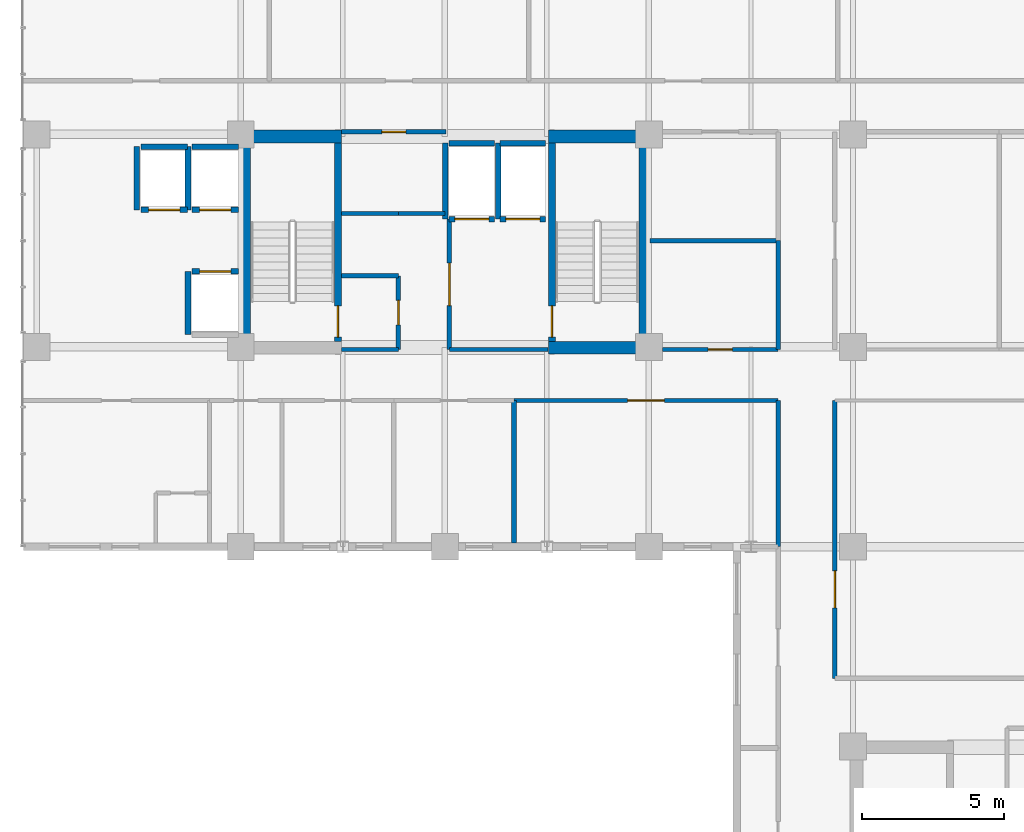
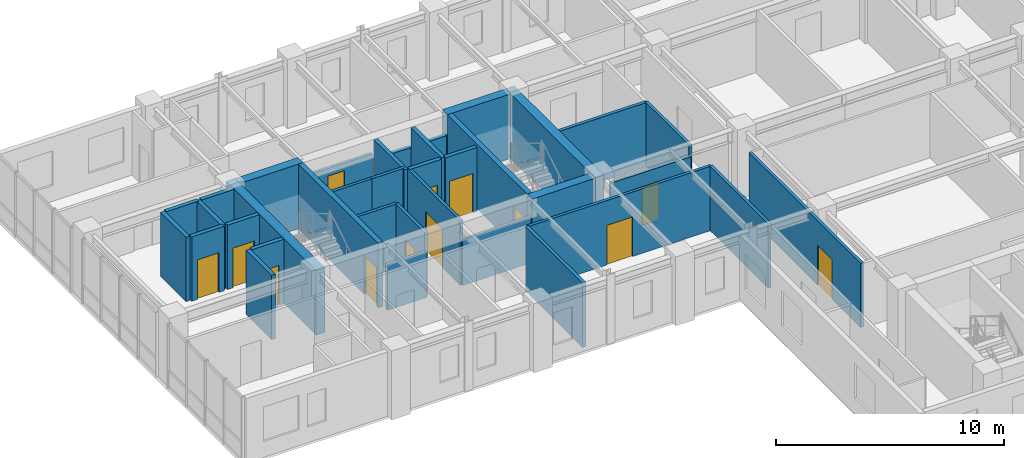
# One storey, part 13 of 20: 36 walls, 13 doors, 13 openings.
"""IFC4 building model written with IfcOpenShell, lengths in metres."""

from ifc_helpers import new_model, si_unit, direction, frame, frame_2d, origin, place, context, subcontext, project, spatial, rectangle, extrude, material, layer, layer_set, type_object, element, fill, save


model = new_model("IFC4")

# Units and contexts
model_context = context("Model", 3, precision=1e-05, world=origin(), true_north=direction((0.0, 1.0)))
body_context = subcontext(model_context, "Body", "Model", "MODEL_VIEW")
ifc_project = project(units=[si_unit("LENGTHUNIT", "METRE"), si_unit("AREAUNIT", "SQUARE_METRE"), si_unit("VOLUMEUNIT", "CUBIC_METRE"), si_unit("PLANEANGLEUNIT", "RADIAN"), si_unit("MASSUNIT", "GRAM", prefix="KILO")], contexts=[model_context])

# Site, building, storey
site_placement = place(None, origin())
site = spatial("IfcSite", under=ifc_project, at=site_placement, CompositionType="ELEMENT")
building_placement = place(site_placement, origin())
building = spatial("IfcBuilding", under=site, at=building_placement, Name="Kaliganga Portal Commons", CompositionType="ELEMENT")
storey_placement = place(building_placement, frame((0.0, 0.0, 201.800048828125)))
storey = spatial("IfcBuildingStorey", under=building, at=storey_placement, Name="L51", CompositionType="ELEMENT", Elevation=201.800048828125)

# Walls
ifc_material_1 = material(Name="Concrete C60/75", Category="concrete")
ifc_layer_1 = layer(ifc_material_1, 0.449951171875)
ifc_layer_set_1 = layer_set([ifc_layer_1], Name="Concrete C60/75")
wall_type_1 = type_object("IfcWallType", Name="WL-CORE-450", PredefinedType="SHEAR", material=ifc_layer_set_1)
for number, where, z_axis, x_axis, name in (
    (1, (14.52490234375, 28.39990234375, 0.0), (0.0, 0.0, 1.0), (0.0, 1.0, 0.0), "Core A West Shear Wall L51"),
    (2, (28.675048828125, 28.39990234375, 0.0), (0.0, 0.0, 1.0), (0.0, 1.0, 0.0), "Core A East Shear Wall L51"),
):
    element("IfcWall", number, at=place(storey_placement, frame(where, z_axis=z_axis, x_axis=x_axis)), inside=storey, type_object=wall_type_1, Name=name, PredefinedType="SHEAR", context=body_context, shape_type="SweptSolid", body=[
        extrude(rectangle(XDim=7.900146484375, YDim=0.449951171875, at=frame_2d((3.9501953125, 0.0))), origin(), (0.0, 0.0, 1.0), 3.469970703125),
    ])
for number, where, z_axis, x_axis, name in (
    (3, (25.25, 28.625, 0.0), (0.0, 0.0, 1.0), (1.0, 0.0, 0.0), "Core A S-East Shear Wall L51"),
    (4, (14.75, 36.074951171875, 0.0), (0.0, 0.0, 1.0), (1.0, 0.0, 0.0), "Core A N-West Shear Wall L51"),
    (5, (25.25, 36.074951171875, 0.0), (0.0, 0.0, 1.0), (1.0, 0.0, 0.0), "Core A N-East Shear Wall L51"),
):
    element("IfcWall", number, at=place(storey_placement, frame(where, z_axis=z_axis, x_axis=x_axis)), inside=storey, type_object=wall_type_1, Name=name, PredefinedType="SHEAR", context=body_context, shape_type="SweptSolid", body=[
        extrude(rectangle(XDim=3.199951171875, YDim=0.449951171875, at=frame_2d((1.60009765625, 0.0))), origin(), (0.0, 0.0, 1.0), 3.469970703125),
    ])

# Wall, opening, door
ifc_material_2 = material(Name="Fire-Rated Gypsum Board on Steel Stud", Category="steel")
ifc_layer_2 = layer(ifc_material_2, 0.14990234375)
ifc_layer_set_2 = layer_set([ifc_layer_2], Name="Fire-Rated Gypsum Board on Steel Stud")
wall_type_2 = type_object("IfcWallType", Name="WL-PART-CORR-150", PredefinedType="PARTITIONING", material=ifc_layer_set_2)
wall_1_placement = place(storey_placement, frame((35.360107421875, 16.9599609375, 0.0), z_axis=(0.0, 0.0, 1.0), x_axis=(0.0, 1.0, 0.0)))
wall_1 = element("IfcWall", 6, at=wall_1_placement, inside=storey, type_object=wall_type_2, Name="Interior Partition L51-009", PredefinedType="PARTITIONING", context=body_context, shape_type="SweptSolid", body=[
    extrude(rectangle(XDim=9.800048828125, YDim=0.14990234375, at=frame_2d((4.89990234375, 0.0))), origin(), (0.0, 0.0, 1.0), 3.449951171875),
])
opening_1_placement = place(wall_1_placement, frame((2.486083984375, 0.0, 0.0)))
opening_1 = element("IfcOpeningElement", 7, at=opening_1_placement, cuts=wall_1, Name="Opening RD-03", PredefinedType="OPENING", context=body_context, shape_type="SweptSolid", body=[
    extrude(rectangle(XDim=1.300048828125, YDim=2.1201171875, at=frame_2d((0.64990234375, 1.06005859375))), frame((0.0, 0.0849609375, 0.0), z_axis=(0.0, -1.0, 0.0), x_axis=(1.0, 0.0, 0.0)), (0.0, 0.0, 1.0), 0.169921875),
])
ifc_material_3 = material(Name="Glazed Timber Seminar Vision Door", Category="wood")
door_type_1 = type_object("IfcDoorType", Name="DR-STUDY-1300", OperationType="DOUBLE_DOOR_SINGLE_SWING", PredefinedType="DOOR", material=ifc_material_3)
door_1_placement = place(opening_1_placement, origin())
door_1 = element("IfcDoor", 8, at=door_1_placement, inside=storey, type_object=door_type_1, Name="Interior Door L51-BM01", OperationType="DOUBLE_DOOR_SINGLE_SWING", OverallHeight=2.1201171875, OverallWidth=1.300048828125, PredefinedType="DOOR", context=body_context, shape_type="SweptSolid", body=[
    extrude(rectangle(XDim=1.300048828125, YDim=2.1201171875, at=frame_2d((0.64990234375, 1.06005859375))), frame((0.0, 0.02490234375, 0.0), z_axis=(0.0, -1.0, 0.0), x_axis=(1.0, 0.0, 0.0)), (0.0, 0.0, 1.0), 0.050048828125),
])
fill(opening_1, door_1)

wall_2_placement = place(storey_placement, frame((24.0400390625, 26.760009765625, 0.0), z_axis=(0.0, 0.0, 1.0), x_axis=(1.0, 0.0, 0.0)))
wall_2 = element("IfcWall", 9, at=wall_2_placement, inside=storey, type_object=wall_type_2, Name="Interior Partition L51-010", PredefinedType="PARTITIONING", context=body_context, shape_type="SweptSolid", body=[
    extrude(rectangle(XDim=9.320068359375, YDim=0.14990234375, at=frame_2d((4.66015625, 0.0))), origin(), (0.0, 0.0, 1.0), 3.449951171875),
])
opening_2_placement = place(wall_2_placement, frame((4.010009765625, 0.0, 0.0)))
opening_2 = element("IfcOpeningElement", 10, at=opening_2_placement, cuts=wall_2, Name="Opening RD-03", PredefinedType="OPENING", context=body_context, shape_type="SweptSolid", body=[
    extrude(rectangle(XDim=1.300048828125, YDim=2.1201171875, at=frame_2d((0.64990234375, 1.06005859375))), frame((0.0, 0.0849609375, 0.0), z_axis=(0.0, -1.0, 0.0), x_axis=(1.0, 0.0, 0.0)), (0.0, 0.0, 1.0), 0.169921875),
])
door_2_placement = place(opening_2_placement, origin())
door_2 = element("IfcDoor", 11, at=door_2_placement, inside=storey, type_object=door_type_1, Name="Interior Door L51-AS05", OperationType="DOUBLE_DOOR_SINGLE_SWING", OverallHeight=2.1201171875, OverallWidth=1.300048828125, PredefinedType="DOOR", context=body_context, shape_type="SweptSolid", body=[
    extrude(rectangle(XDim=1.300048828125, YDim=2.1201171875, at=frame_2d((0.64990234375, 1.06005859375))), frame((0.0, 0.02490234375, 0.0), z_axis=(0.0, -1.0, 0.0), x_axis=(1.0, 0.0, 0.0)), (0.0, 0.0, 1.0), 0.050048828125),
])
fill(opening_2, door_2)

# Wall
wall_3_placement = place(storey_placement, frame((33.360107421875, 21.60009765625, 0.0), z_axis=(0.0, 0.0, 1.0), x_axis=(0.0, 1.0, 0.0)))
element("IfcWall", 12, at=wall_3_placement, inside=storey, type_object=wall_type_2, Name="Interior Partition L51-024", PredefinedType="PARTITIONING", context=body_context, shape_type="SweptSolid", body=[
    extrude(rectangle(XDim=5.159912109375, YDim=0.14990234375, at=frame_2d((2.580078125, 0.0))), origin(), (0.0, 0.0, 1.0), 3.449951171875),
])

# Wall, opening, door
wall_4_placement = place(storey_placement, frame((29.27490234375, 28.56005859375, 0.0), z_axis=(0.0, 0.0, 1.0), x_axis=(1.0, 0.0, 0.0)))
wall_4 = element("IfcWall", 13, at=wall_4_placement, inside=storey, type_object=wall_type_2, Name="Interior Partition L51-027", PredefinedType="PARTITIONING", context=body_context, shape_type="SweptSolid", body=[
    extrude(rectangle(XDim=4.085205078125, YDim=0.14990234375, at=frame_2d((2.04248046875, 0.0))), origin(), (0.0, 0.0, 1.0), 2.849853515625),
])
opening_3_placement = place(wall_4_placement, frame((1.612548828125, 0.0, 0.0)))
opening_3 = element("IfcOpeningElement", 14, at=opening_3_placement, cuts=wall_4, Name="Opening WD-02", PredefinedType="OPENING", context=body_context, shape_type="SweptSolid", body=[
    extrude(rectangle(XDim=0.860107421875, YDim=2.02001953125, at=frame_2d((0.43017578125, 1.010009765625))), frame((0.0, 0.0849609375, 0.0), z_axis=(0.0, -1.0, 0.0), x_axis=(1.0, 0.0, 0.0)), (0.0, 0.0, 1.0), 0.169921875),
])
ifc_material_4 = material(Name="Fire-Rated Utility Closet Door", Category="wood")
door_type_2 = type_object("IfcDoorType", Name="DR-STORE-800", OperationType="NOTDEFINED", PredefinedType="DOOR", material=ifc_material_4)
door_3_placement = place(opening_3_placement, origin())
door_3 = element("IfcDoor", 15, at=door_3_placement, inside=storey, type_object=door_type_2, Name="Interior Door L51-CSRV_A1", OperationType="SINGLE_SWING_LEFT", OverallHeight=2.02001953125, OverallWidth=0.860107421875, PredefinedType="DOOR", context=body_context, shape_type="SweptSolid", body=[
    extrude(rectangle(XDim=0.860107421875, YDim=2.02001953125, at=frame_2d((0.43017578125, 1.010009765625))), frame((0.0, 0.02490234375, 0.0), z_axis=(0.0, -1.0, 0.0), x_axis=(1.0, 0.0, 0.0)), (0.0, 0.0, 1.0), 0.050048828125),
])
fill(opening_3, door_3)

# Wall
wall_5_placement = place(storey_placement, frame((33.360107421875, 28.56005859375, 0.0), z_axis=(0.0, 0.0, 1.0), x_axis=(0.0, 1.0, 0.0)))
element("IfcWall", 16, at=wall_5_placement, inside=storey, type_object=wall_type_2, Name="Interior Partition L51-034", PredefinedType="PARTITIONING", context=body_context, shape_type="SweptSolid", body=[
    extrude(rectangle(XDim=3.83984375, YDim=0.14990234375, at=frame_2d((1.919921875, 0.0))), origin(), (0.0, 0.0, 1.0), 3.449951171875),
])

# Wall, opening, door
wall_6_placement = place(storey_placement, frame((17.9599609375, 36.239990234375, 0.0), z_axis=(0.0, 0.0, 1.0), x_axis=(1.0, 0.0, 0.0)))
wall_6 = element("IfcWall", 17, at=wall_6_placement, inside=storey, type_object=wall_type_2, Name="Interior Partition L51-035", PredefinedType="PARTITIONING", context=body_context, shape_type="SweptSolid", body=[
    extrude(rectangle(XDim=3.679931640625, YDim=0.14990234375, at=frame_2d((1.83984375, 0.0))), origin(), (0.0, 0.0, 1.0), 2.449951171875),
])
opening_4_placement = place(wall_6_placement, frame((1.4150390625, 0.0, 0.0)))
opening_4 = element("IfcOpeningElement", 18, at=opening_4_placement, cuts=wall_6, Name="Opening WD-01", PredefinedType="OPENING", context=body_context, shape_type="SweptSolid", body=[
    extrude(rectangle(XDim=0.85009765625, YDim=2.0400390625, at=frame_2d((0.425048828125, 1.02001953125))), frame((0.0, 0.0849609375, 0.0), z_axis=(0.0, -1.0, 0.0), x_axis=(1.0, 0.0, 0.0)), (0.0, 0.0, 1.0), 0.169921875),
])
ifc_material_5 = material(Name="Moisture-Resistant Laminate Timber Door", Category="wood")
door_type_3 = type_object("IfcDoorType", Name="DR-WET-850", OperationType="NOTDEFINED", PredefinedType="DOOR", material=ifc_material_5)
door_4_placement = place(opening_4_placement, origin())
door_4 = element("IfcDoor", 19, at=door_4_placement, inside=storey, type_object=door_type_3, Name="Interior Door L51-CREC_A1", OperationType="SINGLE_SWING_LEFT", OverallHeight=2.0400390625, OverallWidth=0.85009765625, PredefinedType="DOOR", context=body_context, shape_type="SweptSolid", body=[
    extrude(rectangle(XDim=0.85009765625, YDim=2.0400390625, at=frame_2d((0.425048828125, 1.02001953125))), frame((0.0, 0.02490234375, 0.0), z_axis=(0.0, -1.0, 0.0), x_axis=(1.0, 0.0, 0.0)), (0.0, 0.0, 1.0), 0.050048828125),
])
fill(opening_4, door_4)

wall_7_placement = place(storey_placement, frame((19.9599609375, 28.56005859375, 0.0), z_axis=(0.0, 0.0, 1.0), x_axis=(0.0, 1.0, 0.0)))
wall_7 = element("IfcWall", 20, at=wall_7_placement, inside=storey, type_object=wall_type_2, Name="Interior Partition L51-039", PredefinedType="PARTITIONING", context=body_context, shape_type="SweptSolid", body=[
    extrude(rectangle(XDim=2.599853515625, YDim=0.14990234375, at=frame_2d((1.2998046875, 0.0))), origin(), (0.0, 0.0, 1.0), 3.449951171875),
])
opening_5_placement = place(wall_7_placement, frame((0.8701171875, 0.0, 0.0)))
opening_5 = element("IfcOpeningElement", 21, at=opening_5_placement, cuts=wall_7, Name="Opening WD-02", PredefinedType="OPENING", context=body_context, shape_type="SweptSolid", body=[
    extrude(rectangle(XDim=0.860107421875, YDim=2.02001953125, at=frame_2d((0.43017578125, 1.010009765625))), frame((0.0, 0.0849609375, 0.0), z_axis=(0.0, -1.0, 0.0), x_axis=(1.0, 0.0, 0.0)), (0.0, 0.0, 1.0), 0.169921875),
])
door_5_placement = place(opening_5_placement, origin())
door_5 = element("IfcDoor", 22, at=door_5_placement, inside=storey, type_object=door_type_2, Name="Interior Door L51-CIN_A1", OperationType="SINGLE_SWING_LEFT", OverallHeight=2.02001953125, OverallWidth=0.860107421875, PredefinedType="DOOR", context=body_context, shape_type="SweptSolid", body=[
    extrude(rectangle(XDim=0.860107421875, YDim=2.02001953125, at=frame_2d((0.43017578125, 1.010009765625))), frame((0.0, 0.02490234375, 0.0), z_axis=(0.0, -1.0, 0.0), x_axis=(1.0, 0.0, 0.0)), (0.0, 0.0, 1.0), 0.050048828125),
])
fill(opening_5, door_5)

# Walls
wall_8_placement = place(storey_placement, frame((17.9599609375, 28.56005859375, 0.0), z_axis=(0.0, 0.0, 1.0), x_axis=(1.0, 0.0, 0.0)))
element("IfcWall", 23, at=wall_8_placement, inside=storey, type_object=wall_type_2, Name="Interior Partition L51-041", PredefinedType="PARTITIONING", context=body_context, shape_type="SweptSolid", body=[
    extrude(rectangle(XDim=2.0, YDim=0.14990234375, at=frame_2d((1.0, 0.0))), origin(), (0.0, 0.0, 1.0), 2.449951171875),
])
for number, where, z_axis, x_axis, name in (
    (24, (17.9599609375, 31.159912109375, 0.0), (0.0, 0.0, 1.0), (1.0, 0.0, 0.0), "Interior Partition L51-042"),
    (25, (17.9599609375, 33.360107421875, 0.0), (0.0, 0.0, 1.0), (1.0, 0.0, 0.0), "Interior Partition L51-043"),
):
    element("IfcWall", number, at=place(storey_placement, frame(where, z_axis=z_axis, x_axis=x_axis)), inside=storey, type_object=wall_type_2, Name=name, PredefinedType="PARTITIONING", context=body_context, shape_type="SweptSolid", body=[
        extrude(rectangle(XDim=2.0, YDim=0.14990234375, at=frame_2d((1.0, 0.0))), origin(), (0.0, 0.0, 1.0), 3.449951171875),
    ])
wall_9_placement = place(storey_placement, frame((19.9599609375, 33.360107421875, 0.0), z_axis=(0.0, 0.0, 1.0), x_axis=(1.0, 0.0, 0.0)))
element("IfcWall", 26, at=wall_9_placement, inside=storey, type_object=wall_type_2, Name="Interior Partition L51-045", PredefinedType="PARTITIONING", context=body_context, shape_type="SweptSolid", body=[
    extrude(rectangle(XDim=1.650146484375, YDim=0.14990234375, at=frame_2d((0.8251953125, 0.0))), origin(), (0.0, 0.0, 1.0), 3.449951171875),
])

# Wall, opening, door
wall_10_placement = place(storey_placement, frame((21.760009765625, 28.56005859375, 0.0), z_axis=(0.0, 0.0, 1.0), x_axis=(0.0, 1.0, 0.0)))
wall_10 = element("IfcWall", 27, at=wall_10_placement, inside=storey, type_object=wall_type_2, Name="Interior Partition L51-067", PredefinedType="PARTITIONING", context=body_context, shape_type="SweptSolid", body=[
    extrude(rectangle(XDim=4.599853515625, YDim=0.14990234375, at=frame_2d((2.2998046875, 0.0))), origin(), (0.0, 0.0, 1.0), 3.449951171875),
])
opening_6_placement = place(wall_10_placement, frame((1.550048828125, 0.0, 0.0)))
opening_6 = element("IfcOpeningElement", 28, at=opening_6_placement, cuts=wall_10, Name="Opening FD-01", PredefinedType="OPENING", context=body_context, shape_type="SweptSolid", body=[
    extrude(rectangle(XDim=1.5, YDim=2.10009765625, at=frame_2d((0.75, 1.050048828125))), frame((0.0, 0.0849609375, 0.0), z_axis=(0.0, -1.0, 0.0), x_axis=(1.0, 0.0, 0.0)), (0.0, 0.0, 1.0), 0.169921875),
])
ifc_material_6 = material(Name="Fire-Rated Hardwood and Georgian-Wired Vision Panel", Category="wood")
door_type_4 = type_object("IfcDoorType", Name="DR-LOBBY-1500", OperationType="DOUBLE_DOOR_SINGLE_SWING", PredefinedType="DOOR", material=ifc_material_6)
door_6_placement = place(opening_6_placement, origin())
door_6 = element("IfcDoor", 29, at=door_6_placement, inside=storey, type_object=door_type_4, Name="Interior Door L51-FFLOB_A", OperationType="DOUBLE_DOOR_SINGLE_SWING", OverallHeight=2.10009765625, OverallWidth=1.5, PredefinedType="DOOR", context=body_context, shape_type="SweptSolid", body=[
    extrude(rectangle(XDim=1.5, YDim=2.10009765625, at=frame_2d((0.75, 1.050048828125))), frame((0.0, 0.02490234375, 0.0), z_axis=(0.0, -1.0, 0.0), x_axis=(1.0, 0.0, 0.0)), (0.0, 0.0, 1.0), 0.050048828125),
])
fill(opening_6, door_6)

# Walls
wall_11_placement = place(storey_placement, frame((21.760009765625, 28.56005859375, 0.0), z_axis=(0.0, 0.0, 1.0), x_axis=(1.0, 0.0, 0.0)))
element("IfcWall", 30, at=wall_11_placement, inside=storey, type_object=wall_type_2, Name="Interior Partition L51-071", PredefinedType="PARTITIONING", context=body_context, shape_type="SweptSolid", body=[
    extrude(rectangle(XDim=3.47998046875, YDim=0.14990234375, at=frame_2d((1.739990234375, 0.0))), origin(), (0.0, 0.0, 1.0), 2.449951171875),
])
ifc_material_7 = material(Name="Twin-Stud Acoustic Gypsum Partition", Category="gypsum")
ifc_layer_3 = layer(ifc_material_7, 0.1650390625)
ifc_layer_set_3 = layer_set([ifc_layer_3], Name="Twin-Stud Acoustic Gypsum Partition")
wall_type_3 = type_object("IfcWallType", Name="WL-PART-UNIT-165", PredefinedType="PARTITIONING", material=ifc_layer_set_3)
wall_12_placement = place(storey_placement, frame((24.0400390625, 21.73193359375, 0.0), z_axis=(0.0, 0.0, 1.0), x_axis=(0.0, 1.0, 0.0)))
element("IfcWall", 31, at=wall_12_placement, inside=storey, type_object=wall_type_3, Name="Interior Partition L51-064", PredefinedType="PARTITIONING", context=body_context, shape_type="SweptSolid", body=[
    extrude(rectangle(XDim=5.028076171875, YDim=0.1650390625, at=frame_2d((2.51416015625, 0.0))), origin(), (0.0, 0.0, 1.0), 3.449951171875),
])
wall_13_placement = place(storey_placement, frame((28.840087890625, 32.39990234375, 0.0), z_axis=(0.0, 0.0, 1.0), x_axis=(1.0, 0.0, 0.0)))
element("IfcWall", 32, at=wall_13_placement, inside=storey, type_object=wall_type_3, Name="Interior Partition L51-068", PredefinedType="PARTITIONING", context=body_context, shape_type="SweptSolid", body=[
    extrude(rectangle(XDim=4.52001953125, YDim=0.1650390625, at=frame_2d((2.260009765625, 0.0))), origin(), (0.0, 0.0, 1.0), 3.449951171875),
])

# Wall, opening, door
ifc_material_8 = material(Name="Fire-Rated Shaftwall Masonry Assembly", Category="masonry")
ifc_layer_4 = layer(ifc_material_8, 0.199951171875)
ifc_layer_set_4 = layer_set([ifc_layer_4], Name="Fire-Rated Shaftwall Masonry Assembly")
wall_type_4 = type_object("IfcWallType", Name="WL-SHAFT-200", PredefinedType="PARTITIONING", material=ifc_layer_set_4)
wall_14_placement = place(storey_placement, frame((12.675048828125, 33.485107421875, 0.0), z_axis=(0.0, 0.0, 1.0), x_axis=(1.0, 0.0, 0.0)))
wall_14 = element("IfcWall", 33, at=wall_14_placement, inside=storey, type_object=wall_type_4, Name="Lift PL-A3 Hoistway Shaft Wall L51-S", PredefinedType="PARTITIONING", context=body_context, shape_type="SweptSolid", body=[
    extrude(rectangle(XDim=1.64990234375, YDim=0.199951171875, at=frame_2d((0.824951171875, 0.0))), origin(), (0.0, 0.0, 1.0), 3.449951171875),
])
opening_7_placement = place(wall_14_placement, frame((0.27490234375, 0.0, 0.0)))
opening_7 = element("IfcOpeningElement", 34, at=opening_7_placement, cuts=wall_14, Name="Opening LD-01", PredefinedType="OPENING", context=body_context, shape_type="SweptSolid", body=[
    extrude(rectangle(XDim=1.10009765625, YDim=2.1201171875, at=frame_2d((0.550048828125, 1.06005859375))), frame((0.0, 0.10986328125, 0.0), z_axis=(0.0, -1.0, 0.0), x_axis=(1.0, 0.0, 0.0)), (0.0, 0.0, 1.0), 0.219970703125),
])
ifc_material_9 = material(Name="Brushed Stainless Steel 316 Lift Landing Door", Category="steel")
door_type_5 = type_object("IfcDoorType", Name="DR-LIFT-1100", OperationType="SLIDING_TO_LEFT", PredefinedType="DOOR", material=ifc_material_9)
door_7_placement = place(opening_7_placement, origin())
door_7 = element("IfcDoor", 35, at=door_7_placement, inside=storey, type_object=door_type_5, Name="Lift PL-A3 Sliding Landing Door L51", OperationType="SLIDING_TO_LEFT", OverallHeight=2.1201171875, OverallWidth=1.10009765625, PredefinedType="DOOR", context=body_context, shape_type="SweptSolid", body=[
    extrude(rectangle(XDim=1.10009765625, YDim=2.1201171875, at=frame_2d((0.550048828125, 1.06005859375))), frame((0.0, 0.02490234375, 0.0), z_axis=(0.0, -1.0, 0.0), x_axis=(1.0, 0.0, 0.0)), (0.0, 0.0, 1.0), 0.050048828125),
])
fill(opening_7, door_7)

# Walls
wall_15_placement = place(storey_placement, frame((12.675048828125, 35.715087890625, 0.0), z_axis=(0.0, 0.0, 1.0), x_axis=(1.0, 0.0, 0.0)))
element("IfcWall", 36, at=wall_15_placement, inside=storey, type_object=wall_type_4, Name="Lift PL-A3 Hoistway Shaft Wall L51-N", PredefinedType="PARTITIONING", context=body_context, shape_type="SweptSolid", body=[
    extrude(rectangle(XDim=1.64990234375, YDim=0.199951171875, at=frame_2d((0.824951171875, 0.0))), origin(), (0.0, 0.0, 1.0), 3.449951171875),
])
wall_16_placement = place(storey_placement, frame((12.534912109375, 33.485107421875, 0.0), z_axis=(0.0, 0.0, 1.0), x_axis=(0.0, 1.0, 0.0)))
element("IfcWall", 37, at=wall_16_placement, inside=storey, type_object=wall_type_4, Name="Lift PL-A3 Hoistway Shaft Wall L51-W", PredefinedType="PARTITIONING", context=body_context, shape_type="SweptSolid", body=[
    extrude(rectangle(XDim=2.22998046875, YDim=0.199951171875, at=frame_2d((1.114990234375, 0.0))), origin(), (0.0, 0.0, 1.0), 3.449951171875),
])

# Wall, opening, door
wall_17_placement = place(storey_placement, frame((12.675048828125, 31.31494140625, 0.0), z_axis=(0.0, 0.0, 1.0), x_axis=(1.0, 0.0, 0.0)))
wall_17 = element("IfcWall", 38, at=wall_17_placement, inside=storey, type_object=wall_type_4, Name="Lift PL-A4 Hoistway Shaft Wall L51-N", PredefinedType="PARTITIONING", context=body_context, shape_type="SweptSolid", body=[
    extrude(rectangle(XDim=1.64990234375, YDim=0.199951171875, at=frame_2d((0.824951171875, 0.0))), origin(), (0.0, 0.0, 1.0), 3.449951171875),
])
opening_8_placement = place(wall_17_placement, frame((0.27490234375, 0.0, 0.0)))
opening_8 = element("IfcOpeningElement", 39, at=opening_8_placement, cuts=wall_17, Name="Opening LD-01", PredefinedType="OPENING", context=body_context, shape_type="SweptSolid", body=[
    extrude(rectangle(XDim=1.10009765625, YDim=2.1201171875, at=frame_2d((0.550048828125, 1.06005859375))), frame((0.0, 0.10986328125, 0.0), z_axis=(0.0, -1.0, 0.0), x_axis=(1.0, 0.0, 0.0)), (0.0, 0.0, 1.0), 0.219970703125),
])
door_8_placement = place(opening_8_placement, origin())
door_8 = element("IfcDoor", 40, at=door_8_placement, inside=storey, type_object=door_type_5, Name="Lift PL-A4 Sliding Landing Door L51", OperationType="SLIDING_TO_LEFT", OverallHeight=2.1201171875, OverallWidth=1.10009765625, PredefinedType="DOOR", context=body_context, shape_type="SweptSolid", body=[
    extrude(rectangle(XDim=1.10009765625, YDim=2.1201171875, at=frame_2d((0.550048828125, 1.06005859375))), frame((0.0, 0.02490234375, 0.0), z_axis=(0.0, -1.0, 0.0), x_axis=(1.0, 0.0, 0.0)), (0.0, 0.0, 1.0), 0.050048828125),
])
fill(opening_8, door_8)

# Wall
wall_18_placement = place(storey_placement, frame((12.534912109375, 29.0849609375, 0.0), z_axis=(0.0, 0.0, 1.0), x_axis=(0.0, 1.0, 0.0)))
element("IfcWall", 41, at=wall_18_placement, inside=storey, type_object=wall_type_4, Name="Lift PL-A4 Hoistway Shaft Wall L51-W", PredefinedType="PARTITIONING", context=body_context, shape_type="SweptSolid", body=[
    extrude(rectangle(XDim=2.22998046875, YDim=0.199951171875, at=frame_2d((1.114990234375, 0.0))), origin(), (0.0, 0.0, 1.0), 3.449951171875),
])

# Wall, opening, door
wall_19_placement = place(storey_placement, frame((10.875, 33.485107421875, 0.0), z_axis=(0.0, 0.0, 1.0), x_axis=(1.0, 0.0, 0.0)))
wall_19 = element("IfcWall", 42, at=wall_19_placement, inside=storey, type_object=wall_type_4, Name="Lift PL-OBS Hoistway Shaft Wall L51-S", PredefinedType="PARTITIONING", context=body_context, shape_type="SweptSolid", body=[
    extrude(rectangle(XDim=1.64990234375, YDim=0.199951171875, at=frame_2d((0.824951171875, 0.0))), origin(), (0.0, 0.0, 1.0), 3.449951171875),
])
opening_9_placement = place(wall_19_placement, frame((0.27490234375, 0.0, 0.0)))
opening_9 = element("IfcOpeningElement", 43, at=opening_9_placement, cuts=wall_19, Name="Opening LD-01", PredefinedType="OPENING", context=body_context, shape_type="SweptSolid", body=[
    extrude(rectangle(XDim=1.10009765625, YDim=2.1201171875, at=frame_2d((0.550048828125, 1.06005859375))), frame((0.0, 0.10986328125, 0.0), z_axis=(0.0, -1.0, 0.0), x_axis=(1.0, 0.0, 0.0)), (0.0, 0.0, 1.0), 0.219970703125),
])
door_9_placement = place(opening_9_placement, origin())
door_9 = element("IfcDoor", 44, at=door_9_placement, inside=storey, type_object=door_type_5, Name="Lift PL-OBS Sliding Landing Door L51", OperationType="SLIDING_TO_LEFT", OverallHeight=2.1201171875, OverallWidth=1.10009765625, PredefinedType="DOOR", context=body_context, shape_type="SweptSolid", body=[
    extrude(rectangle(XDim=1.10009765625, YDim=2.1201171875, at=frame_2d((0.550048828125, 1.06005859375))), frame((0.0, 0.02490234375, 0.0), z_axis=(0.0, -1.0, 0.0), x_axis=(1.0, 0.0, 0.0)), (0.0, 0.0, 1.0), 0.050048828125),
])
fill(opening_9, door_9)

# Walls
wall_20_placement = place(storey_placement, frame((10.875, 35.715087890625, 0.0), z_axis=(0.0, 0.0, 1.0), x_axis=(1.0, 0.0, 0.0)))
element("IfcWall", 45, at=wall_20_placement, inside=storey, type_object=wall_type_4, Name="Lift PL-OBS Hoistway Shaft Wall L51-N", PredefinedType="PARTITIONING", context=body_context, shape_type="SweptSolid", body=[
    extrude(rectangle(XDim=1.64990234375, YDim=0.199951171875, at=frame_2d((0.824951171875, 0.0))), origin(), (0.0, 0.0, 1.0), 3.449951171875),
])
wall_21_placement = place(storey_placement, frame((10.735107421875, 33.485107421875, 0.0), z_axis=(0.0, 0.0, 1.0), x_axis=(0.0, 1.0, 0.0)))
element("IfcWall", 46, at=wall_21_placement, inside=storey, type_object=wall_type_4, Name="Lift PL-OBS Hoistway Shaft Wall L51-W", PredefinedType="PARTITIONING", context=body_context, shape_type="SweptSolid", body=[
    extrude(rectangle(XDim=2.22998046875, YDim=0.199951171875, at=frame_2d((1.114990234375, 0.0))), origin(), (0.0, 0.0, 1.0), 3.449951171875),
])

# Wall, opening, door
wall_22_placement = place(storey_placement, frame((21.75, 33.159912109375, 0.0), z_axis=(0.0, 0.0, 1.0), x_axis=(1.0, 0.0, 0.0)))
wall_22 = element("IfcWall", 47, at=wall_22_placement, inside=storey, type_object=wall_type_4, Name="Lift FFL-1 Hoistway Shaft Wall L51-S", PredefinedType="PARTITIONING", context=body_context, shape_type="SweptSolid", body=[
    extrude(rectangle(XDim=1.60009765625, YDim=0.199951171875, at=frame_2d((0.800048828125, 0.0))), origin(), (0.0, 0.0, 1.0), 3.449951171875),
])
opening_10_placement = place(wall_22_placement, frame((0.199951171875, 0.0, 0.0)))
opening_10 = element("IfcOpeningElement", 48, at=opening_10_placement, cuts=wall_22, Name="Opening LD-02", PredefinedType="OPENING", context=body_context, shape_type="SweptSolid", body=[
    extrude(rectangle(XDim=1.199951171875, YDim=2.1201171875, at=frame_2d((0.60009765625, 1.06005859375))), frame((0.0, 0.10986328125, 0.0), z_axis=(0.0, -1.0, 0.0), x_axis=(1.0, 0.0, 0.0)), (0.0, 0.0, 1.0), 0.219970703125),
])
ifc_material_10 = material(Name="Brushed Stainless Steel 316 Stretcher Lift Landing Door", Category="steel")
door_type_6 = type_object("IfcDoorType", Name="DR-LIFT-1200", OperationType="SLIDING_TO_RIGHT", PredefinedType="DOOR", material=ifc_material_10)
door_10_placement = place(opening_10_placement, origin())
door_10 = element("IfcDoor", 49, at=door_10_placement, inside=storey, type_object=door_type_6, Name="Lift FFL-1 Sliding Landing Door L51", OperationType="SLIDING_TO_RIGHT", OverallHeight=2.1201171875, OverallWidth=1.199951171875, PredefinedType="DOOR", context=body_context, shape_type="SweptSolid", body=[
    extrude(rectangle(XDim=1.199951171875, YDim=2.1201171875, at=frame_2d((0.60009765625, 1.06005859375))), frame((0.0, 0.02490234375, 0.0), z_axis=(0.0, -1.0, 0.0), x_axis=(1.0, 0.0, 0.0)), (0.0, 0.0, 1.0), 0.050048828125),
])
fill(opening_10, door_10)

# Walls
wall_23_placement = place(storey_placement, frame((21.75, 35.840087890625, 0.0), z_axis=(0.0, 0.0, 1.0), x_axis=(1.0, 0.0, 0.0)))
element("IfcWall", 50, at=wall_23_placement, inside=storey, type_object=wall_type_4, Name="Lift FFL-1 Hoistway Shaft Wall L51-N", PredefinedType="PARTITIONING", context=body_context, shape_type="SweptSolid", body=[
    extrude(rectangle(XDim=1.60009765625, YDim=0.199951171875, at=frame_2d((0.800048828125, 0.0))), origin(), (0.0, 0.0, 1.0), 2.449951171875),
])
for number, where, z_axis, x_axis, name in (
    (51, (21.610107421875, 33.159912109375, 0.0), (0.0, 0.0, 1.0), (0.0, 1.0, 0.0), "Lift FFL-1 Hoistway Shaft Wall L51-W"),
    (52, (23.489990234375, 33.159912109375, 0.0), (0.0, 0.0, 1.0), (0.0, 1.0, 0.0), "Lift FFL-1 Hoistway Shaft Wall L51-E"),
):
    element("IfcWall", number, at=place(storey_placement, frame(where, z_axis=z_axis, x_axis=x_axis)), inside=storey, type_object=wall_type_4, Name=name, PredefinedType="PARTITIONING", context=body_context, shape_type="SweptSolid", body=[
        extrude(rectangle(XDim=2.68017578125, YDim=0.199951171875, at=frame_2d((1.340087890625, 0.0))), origin(), (0.0, 0.0, 1.0), 3.449951171875),
    ])

# Wall, opening, door
wall_24_placement = place(storey_placement, frame((23.550048828125, 33.159912109375, 0.0), z_axis=(0.0, 0.0, 1.0), x_axis=(1.0, 0.0, 0.0)))
wall_24 = element("IfcWall", 53, at=wall_24_placement, inside=storey, type_object=wall_type_4, Name="Lift FFL-2 Hoistway Shaft Wall L51-S", PredefinedType="PARTITIONING", context=body_context, shape_type="SweptSolid", body=[
    extrude(rectangle(XDim=1.599853515625, YDim=0.199951171875, at=frame_2d((0.7998046875, 0.0))), origin(), (0.0, 0.0, 1.0), 3.449951171875),
])
opening_11_placement = place(wall_24_placement, frame((0.199951171875, 0.0, 0.0)))
opening_11 = element("IfcOpeningElement", 54, at=opening_11_placement, cuts=wall_24, Name="Opening LD-02", PredefinedType="OPENING", context=body_context, shape_type="SweptSolid", body=[
    extrude(rectangle(XDim=1.199951171875, YDim=2.1201171875, at=frame_2d((0.60009765625, 1.06005859375))), frame((0.0, 0.10986328125, 0.0), z_axis=(0.0, -1.0, 0.0), x_axis=(1.0, 0.0, 0.0)), (0.0, 0.0, 1.0), 0.219970703125),
])
door_11_placement = place(opening_11_placement, origin())
door_11 = element("IfcDoor", 55, at=door_11_placement, inside=storey, type_object=door_type_6, Name="Lift FFL-2 Sliding Landing Door L51", OperationType="SLIDING_TO_RIGHT", OverallHeight=2.1201171875, OverallWidth=1.199951171875, PredefinedType="DOOR", context=body_context, shape_type="SweptSolid", body=[
    extrude(rectangle(XDim=1.199951171875, YDim=2.1201171875, at=frame_2d((0.60009765625, 1.06005859375))), frame((0.0, 0.02490234375, 0.0), z_axis=(0.0, -1.0, 0.0), x_axis=(1.0, 0.0, 0.0)), (0.0, 0.0, 1.0), 0.050048828125),
])
fill(opening_11, door_11)

# Wall
wall_25_placement = place(storey_placement, frame((23.550048828125, 35.840087890625, 0.0), z_axis=(0.0, 0.0, 1.0), x_axis=(1.0, 0.0, 0.0)))
element("IfcWall", 56, at=wall_25_placement, inside=storey, type_object=wall_type_4, Name="Lift FFL-2 Hoistway Shaft Wall L51-N", PredefinedType="PARTITIONING", context=body_context, shape_type="SweptSolid", body=[
    extrude(rectangle(XDim=1.599853515625, YDim=0.199951171875, at=frame_2d((0.7998046875, 0.0))), origin(), (0.0, 0.0, 1.0), 2.449951171875),
])

# Wall, opening, door
ifc_material_11 = material(Name="Concrete C50/60", Category="concrete")
ifc_layer_5 = layer(ifc_material_11, 0.25)
ifc_layer_set_5 = layer_set([ifc_layer_5], Name="Concrete C50/60")
wall_type_5 = type_object("IfcWallType", Name="WL-STAIR-250", PredefinedType="SHEAR", material=ifc_layer_set_5)
wall_26_placement = place(storey_placement, frame((17.824951171875, 28.85009765625, 0.0), z_axis=(0.0, 0.0, 1.0), x_axis=(0.0, 1.0, 0.0)))
wall_26 = element("IfcWall", 57, at=wall_26_placement, inside=storey, type_object=wall_type_5, Name="Stair A1 Enclosure Shear Wall L51", PredefinedType="SHEAR", context=body_context, shape_type="SweptSolid", body=[
    extrude(rectangle(XDim=7.0, YDim=0.25, at=frame_2d((3.5, 0.0))), origin(), (0.0, 0.0, 1.0), 3.469970703125),
])
opening_12_placement = place(wall_26_placement, frame((0.14990234375, 0.0, 0.0)))
opening_12 = element("IfcOpeningElement", 58, at=opening_12_placement, cuts=wall_26, Name="Opening SD-01", PredefinedType="OPENING", context=body_context, shape_type="SweptSolid", body=[
    extrude(rectangle(XDim=1.10009765625, YDim=2.080078125, at=frame_2d((0.550048828125, 1.0400390625))), frame((0.0, 0.135009765625, 0.0), z_axis=(0.0, -1.0, 0.0), x_axis=(1.0, 0.0, 0.0)), (0.0, 0.0, 1.0), 0.27001953125),
])
ifc_material_12 = material(Name="Galvanized Steel Fire Door Leaf and Frame", Category="steel")
door_type_7 = type_object("IfcDoorType", Name="DR-STAIR-1100", OperationType="NOTDEFINED", PredefinedType="DOOR", material=ifc_material_12)
door_12_placement = place(opening_12_placement, origin())
door_12 = element("IfcDoor", 59, at=door_12_placement, inside=storey, type_object=door_type_7, Name="Protected Stair ST-A1 Fire Door L51", OperationType="SINGLE_SWING_LEFT", OverallHeight=2.080078125, OverallWidth=1.10009765625, PredefinedType="DOOR", context=body_context, shape_type="SweptSolid", body=[
    extrude(rectangle(XDim=1.10009765625, YDim=2.080078125, at=frame_2d((0.550048828125, 1.0400390625))), frame((0.0, 0.02490234375, 0.0), z_axis=(0.0, -1.0, 0.0), x_axis=(1.0, 0.0, 0.0)), (0.0, 0.0, 1.0), 0.050048828125),
])
fill(opening_12, door_12)

wall_27_placement = place(storey_placement, frame((25.375, 28.85009765625, 0.0), z_axis=(0.0, 0.0, 1.0), x_axis=(0.0, 1.0, 0.0)))
wall_27 = element("IfcWall", 60, at=wall_27_placement, inside=storey, type_object=wall_type_5, Name="Stair A2 Enclosure Shear Wall L51", PredefinedType="SHEAR", context=body_context, shape_type="SweptSolid", body=[
    extrude(rectangle(XDim=7.0, YDim=0.25, at=frame_2d((3.5, 0.0))), origin(), (0.0, 0.0, 1.0), 3.469970703125),
])
opening_13_placement = place(wall_27_placement, frame((0.14990234375, 0.0, 0.0)))
opening_13 = element("IfcOpeningElement", 61, at=opening_13_placement, cuts=wall_27, Name="Opening SD-01", PredefinedType="OPENING", context=body_context, shape_type="SweptSolid", body=[
    extrude(rectangle(XDim=1.10009765625, YDim=2.080078125, at=frame_2d((0.550048828125, 1.0400390625))), frame((0.0, 0.135009765625, 0.0), z_axis=(0.0, -1.0, 0.0), x_axis=(1.0, 0.0, 0.0)), (0.0, 0.0, 1.0), 0.27001953125),
])
door_13_placement = place(opening_13_placement, origin())
door_13 = element("IfcDoor", 62, at=door_13_placement, inside=storey, type_object=door_type_7, Name="Protected Stair ST-A2 Fire Door L51", OperationType="SINGLE_SWING_RIGHT", OverallHeight=2.080078125, OverallWidth=1.10009765625, PredefinedType="DOOR", context=body_context, shape_type="SweptSolid", body=[
    extrude(rectangle(XDim=1.10009765625, YDim=2.080078125, at=frame_2d((0.550048828125, 1.0400390625))), frame((0.0, 0.02490234375, 0.0), z_axis=(0.0, -1.0, 0.0), x_axis=(1.0, 0.0, 0.0)), (0.0, 0.0, 1.0), 0.050048828125),
])
fill(opening_13, door_13)

save(model, "model.ifc")
